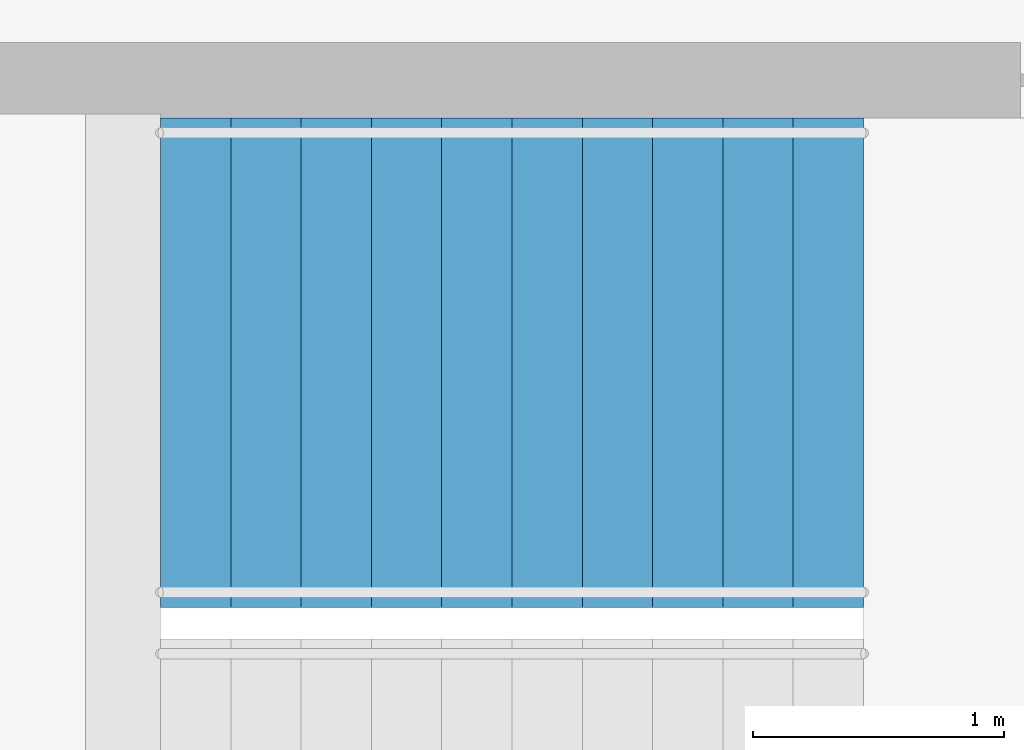
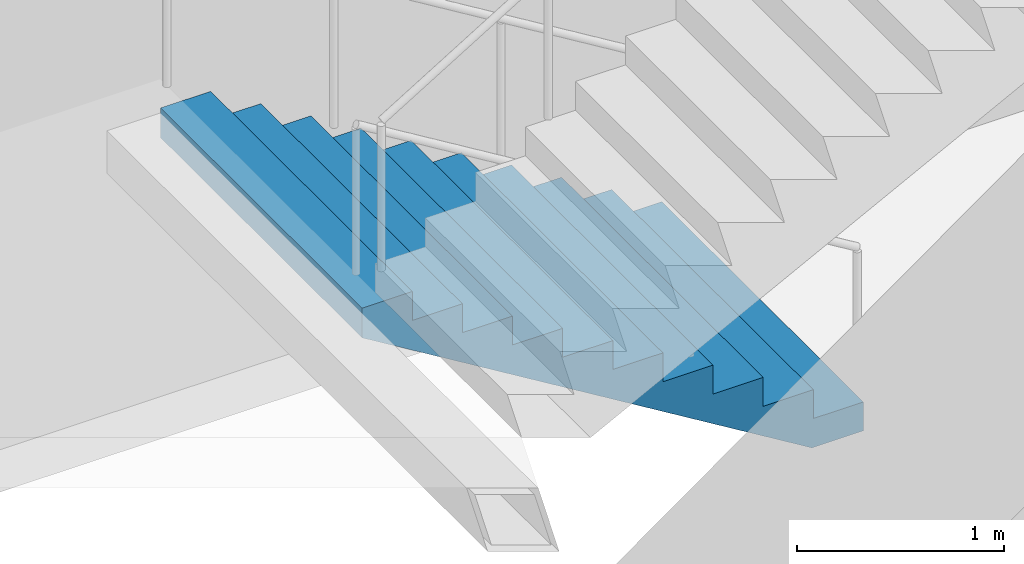
# One storey, part 22 of 23: 1 stair flight, 1 element without a shape of its own.
"""IFC4 building model written with IfcOpenShell, lengths in metres."""

from ifc_helpers import new_model, si_unit, direction, frame, origin, place, context, subcontext, project, spatial, triangles, material, type_object, element, aggregate, save


model = new_model("IFC4")

# Units and contexts
model_context = context("Model", 3, precision=1e-05, world=origin(), true_north=direction((0.0, 1.0)))
body_context = subcontext(model_context, "Body", "Model", "MODEL_VIEW")
ifc_project = project(units=[si_unit("LENGTHUNIT", "METRE"), si_unit("AREAUNIT", "SQUARE_METRE"), si_unit("VOLUMEUNIT", "CUBIC_METRE"), si_unit("PLANEANGLEUNIT", "RADIAN"), si_unit("MASSUNIT", "GRAM", prefix="KILO")], contexts=[model_context])

# Site, building, storey
site_placement = place(None, origin())
site = spatial("IfcSite", under=ifc_project, at=site_placement, CompositionType="ELEMENT")
building_placement = place(site_placement, origin())
building = spatial("IfcBuilding", under=site, at=building_placement, Name="Orbita Commons", CompositionType="ELEMENT")
storey_placement = place(building_placement, frame((0.0, 0.0, 171.10009765625)))
storey = spatial("IfcBuildingStorey", under=building, at=storey_placement, Name="L42", CompositionType="ELEMENT", Elevation=171.10009765625)

# Stair, stair flight
ifc_material_1 = material(Name="Precast concrete C40/50", Category="concrete")
stair_type = type_object("IfcStairType", Name="Exit stair S2 2 flights 11 risers 170", PredefinedType="HALF_TURN_STAIR", material=ifc_material_1)
stair_placement = place(storey_placement, origin())
stair = element("IfcStair", 1, at=stair_placement, inside=storey, type_object=stair_type, Name="Exit stair S2 L42", PredefinedType="HALF_TURN_STAIR")
ifc_material_2 = material(Name="Precast concrete C40/50", Category="concrete")
stair_flight_type = type_object("IfcStairFlightType", Name="Stair flight 11 risers 170 x 280", PredefinedType="STRAIGHT", material=ifc_material_2)
stair_flight_placement = place(storey_placement, frame((63.550048828125, 29.27490234375, 0.0), z_axis=(0.0, 0.0, 1.0), x_axis=(-1.0, 0.0, 0.0)))
stair_flight = element("IfcStairFlight", 2, at=stair_flight_placement, type_object=stair_flight_type, Name="S2 flight 1", NumberOfRisers=11, NumberOfTreads=10, PredefinedType="STRAIGHT", RiserHeight=0.170454545, TreadLength=0.28, context=body_context, shape_type="Tessellation", body=[
    triangles([(0.0, 0.974976, 0.0), (0.0, 0.974976, 0.021307), (0.0, 0.81248, 0.021307), (0.0, 0.81248, 0.0), (0.0, 0.649984, 0.021307), (0.0, 0.649984, 0.0), (0.0, 0.487488, 0.021307), (0.0, 0.487488, 0.0), (0.0, 0.324992, 0.021307), (0.0, 0.324992, 0.0), (0.0, 0.162496, 0.021307), (0.0, 0.162496, 0.0), (0.0, 0.0, 0.021307), (0.0, 0.0, 0.0), (0.0, -0.162496, 0.021307), (0.0, -0.162496, 0.0), (0.0, -0.324992, 0.021307), (0.0, -0.324992, 0.0), (0.0, -0.487488, 0.021307), (0.0, -0.487488, 0.0), (0.0, -0.649984, 0.021307), (0.0, -0.649984, 0.0), (0.0, -0.81248, 0.021307), (0.0, -0.81248, 0.0), (0.0, -0.974976, 0.021307), (0.0, -0.974976, 0.0), (0.0, 0.974976, 0.042614), (0.0, 0.81248, 0.042614), (0.0, 0.649984, 0.042614), (0.0, 0.487488, 0.042614), (0.0, 0.324992, 0.042614), (0.0, 0.162496, 0.042614), (0.0, 0.0, 0.042614), (0.0, -0.162496, 0.042614), (0.0, -0.324992, 0.042614), (0.0, -0.487488, 0.042614), (0.0, -0.649984, 0.042614), (0.0, -0.81248, 0.042614), (0.0, -0.974976, 0.042614), (0.0, 0.974976, 0.06392), (0.0, 0.81248, 0.06392), (0.0, 0.649984, 0.06392), (0.0, 0.487488, 0.06392), (0.0, 0.324992, 0.06392), (0.0, 0.162496, 0.06392), (0.0, 0.0, 0.06392), (0.0, -0.162496, 0.06392), (0.0, -0.324992, 0.06392), (0.0, -0.487488, 0.06392), (0.0, -0.649984, 0.06392), (0.0, -0.81248, 0.06392), (0.0, -0.974976, 0.06392), (0.0, 0.974976, 0.085227), (0.0, 0.81248, 0.085227), (0.0, 0.649984, 0.085227), (0.0, 0.487488, 0.085227), (0.0, 0.324992, 0.085227), (0.0, 0.162496, 0.085227), (0.0, 0.0, 0.085227), (0.0, -0.162496, 0.085227), (0.0, -0.324992, 0.085227), (0.0, -0.487488, 0.085227), (0.0, -0.649984, 0.085227), (0.0, -0.81248, 0.085227), (0.0, -0.974976, 0.085227), (0.0, 0.974976, 0.106534), (0.0, 0.81248, 0.106534), (0.0, 0.649984, 0.106534), (0.0, 0.487488, 0.106534), (0.0, 0.324992, 0.106534), (0.0, 0.162496, 0.106534), (0.0, 0.0, 0.106534), (0.0, -0.162496, 0.106534), (0.0, -0.324992, 0.106534), (0.0, -0.487488, 0.106534), (0.0, -0.649984, 0.106534), (0.0, -0.81248, 0.106534), (0.0, -0.974976, 0.106534), (0.0, 0.974976, 0.127841), (0.0, 0.81248, 0.127841), (0.0, 0.649984, 0.127841), (0.0, 0.487488, 0.127841), (0.0, 0.324992, 0.127841), (0.0, 0.162496, 0.127841), (0.0, 0.0, 0.127841), (0.0, -0.162496, 0.127841), (0.0, -0.324992, 0.127841), (0.0, -0.487488, 0.127841), (0.0, -0.649984, 0.127841), (0.0, -0.81248, 0.127841), (0.0, -0.974976, 0.127841), (0.0, 0.974976, 0.149148), (0.0, 0.81248, 0.149148), (0.0, 0.649984, 0.149148), (0.0, 0.487488, 0.149148), (0.0, 0.324992, 0.149148), (0.0, 0.162496, 0.149148), (0.0, 0.0, 0.149148), (0.0, -0.162496, 0.149148), (0.0, -0.324992, 0.149148), (0.0, -0.487488, 0.149148), (0.0, -0.649984, 0.149148), (0.0, -0.81248, 0.149148), (0.0, -0.974976, 0.149148), (0.0, 0.974976, 0.170455), (0.0, 0.81248, 0.170455), (0.0, 0.649984, 0.170455), (0.0, 0.487488, 0.170455), (0.0, 0.324992, 0.170455), (0.0, 0.162496, 0.170455), (0.0, 0.0, 0.170455), (0.0, -0.162496, 0.170455), (0.0, -0.324992, 0.170455), (0.0, -0.487488, 0.170455), (0.0, -0.649984, 0.170455), (0.0, -0.81248, 0.170455), (0.0, -0.974976, 0.170455), (0.28, 0.974976, 0.170455), (0.28, 0.81248, 0.170455), (0.28, 0.649984, 0.170455), (0.28, 0.487488, 0.170455), (0.28, 0.324992, 0.170455), (0.28, 0.162496, 0.170455), (0.28, 0.0, 0.170455), (0.28, -0.162496, 0.170455), (0.28, -0.324992, 0.170455), (0.28, -0.487488, 0.170455), (0.28, -0.649984, 0.170455), (0.28, -0.81248, 0.170455), (0.28, -0.974976, 0.170455), (0.28, 0.974976, 0.340909), (0.28, 0.81248, 0.340909), (0.28, 0.649984, 0.340909), (0.28, 0.487488, 0.340909), (0.28, 0.324992, 0.340909), (0.28, 0.162496, 0.340909), (0.28, 0.0, 0.340909), (0.28, -0.162496, 0.340909), (0.28, -0.324992, 0.340909), (0.28, -0.487488, 0.340909), (0.28, -0.649984, 0.340909), (0.28, -0.81248, 0.340909), (0.28, -0.974976, 0.340909), (0.56, 0.974976, 0.340909), (0.56, 0.81248, 0.340909), (0.56, 0.649984, 0.340909), (0.56, 0.487488, 0.340909), (0.56, 0.324992, 0.340909), (0.56, 0.162496, 0.340909), (0.56, 0.0, 0.340909), (0.56, -0.162496, 0.340909), (0.56, -0.324992, 0.340909), (0.56, -0.487488, 0.340909), (0.56, -0.649984, 0.340909), (0.56, -0.81248, 0.340909), (0.56, -0.974976, 0.340909), (0.56, 0.974976, 0.511364), (0.56, 0.81248, 0.511364), (0.56, 0.649984, 0.511364), (0.56, 0.487488, 0.511364), (0.56, 0.324992, 0.511364), (0.56, 0.162496, 0.511364), (0.56, 0.0, 0.511364), (0.56, -0.162496, 0.511364), (0.56, -0.324992, 0.511364), (0.56, -0.487488, 0.511364), (0.56, -0.649984, 0.511364), (0.56, -0.81248, 0.511364), (0.56, -0.974976, 0.511364), (0.84, 0.974976, 0.511364), (0.84, 0.81248, 0.511364), (0.84, 0.649984, 0.511364), (0.84, 0.487488, 0.511364), (0.84, 0.324992, 0.511364), (0.84, 0.162496, 0.511364), (0.84, 0.0, 0.511364), (0.84, -0.162496, 0.511364), (0.84, -0.324992, 0.511364), (0.84, -0.487488, 0.511364), (0.84, -0.649984, 0.511364), (0.84, -0.81248, 0.511364), (0.84, -0.974976, 0.511364), (0.84, 0.974976, 0.681818), (0.84, 0.81248, 0.681818), (0.84, 0.649984, 0.681818), (0.84, 0.487488, 0.681818), (0.84, 0.324992, 0.681818), (0.84, 0.162496, 0.681818), (0.84, 0.0, 0.681818), (0.84, -0.162496, 0.681818), (0.84, -0.324992, 0.681818), (0.84, -0.487488, 0.681818), (0.84, -0.649984, 0.681818), (0.84, -0.81248, 0.681818), (0.84, -0.974976, 0.681818), (1.12, 0.974976, 0.681818), (1.12, 0.81248, 0.681818), (1.12, 0.649984, 0.681818), (1.12, 0.487488, 0.681818), (1.12, 0.324992, 0.681818), (1.12, 0.162496, 0.681818), (1.12, 0.0, 0.681818), (1.12, -0.162496, 0.681818), (1.12, -0.324992, 0.681818), (1.12, -0.487488, 0.681818), (1.12, -0.649984, 0.681818), (1.12, -0.81248, 0.681818), (1.12, -0.974976, 0.681818), (1.12, 0.974976, 0.852273), (1.12, 0.81248, 0.852273), (1.12, 0.649984, 0.852273), (1.12, 0.487488, 0.852273), (1.12, 0.324992, 0.852273), (1.12, 0.162496, 0.852273), (1.12, 0.0, 0.852273), (1.12, -0.162496, 0.852273), (1.12, -0.324992, 0.852273), (1.12, -0.487488, 0.852273), (1.12, -0.649984, 0.852273), (1.12, -0.81248, 0.852273), (1.12, -0.974976, 0.852273), (1.4, 0.974976, 0.852273), (1.4, 0.81248, 0.852273), (1.4, 0.649984, 0.852273), (1.4, 0.487488, 0.852273), (1.4, 0.324992, 0.852273), (1.4, 0.162496, 0.852273), (1.4, 0.0, 0.852273), (1.4, -0.162496, 0.852273), (1.4, -0.324992, 0.852273), (1.4, -0.487488, 0.852273), (1.4, -0.649984, 0.852273), (1.4, -0.81248, 0.852273), (1.4, -0.974976, 0.852273), (1.4, 0.974976, 1.022727), (1.4, 0.81248, 1.022727), (1.4, 0.649984, 1.022727), (1.4, 0.487488, 1.022727), (1.4, 0.324992, 1.022727), (1.4, 0.162496, 1.022727), (1.4, 0.0, 1.022727), (1.4, -0.162496, 1.022727), (1.4, -0.324992, 1.022727), (1.4, -0.487488, 1.022727), (1.4, -0.649984, 1.022727), (1.4, -0.81248, 1.022727), (1.4, -0.974976, 1.022727), (1.68, 0.974976, 1.022727), (1.68, 0.81248, 1.022727), (1.68, 0.649984, 1.022727), (1.68, 0.487488, 1.022727), (1.68, 0.324992, 1.022727), (1.68, 0.162496, 1.022727), (1.68, 0.0, 1.022727), (1.68, -0.162496, 1.022727), (1.68, -0.324992, 1.022727), (1.68, -0.487488, 1.022727), (1.68, -0.649984, 1.022727), (1.68, -0.81248, 1.022727), (1.68, -0.974976, 1.022727), (1.68, 0.974976, 1.193182), (1.68, 0.81248, 1.193182), (1.68, 0.649984, 1.193182), (1.68, 0.487488, 1.193182), (1.68, 0.324992, 1.193182), (1.68, 0.162496, 1.193182), (1.68, 0.0, 1.193182), (1.68, -0.162496, 1.193182), (1.68, -0.324992, 1.193182), (1.68, -0.487488, 1.193182), (1.68, -0.649984, 1.193182), (1.68, -0.81248, 1.193182), (1.68, -0.974976, 1.193182), (1.96, 0.974976, 1.193182), (1.96, 0.81248, 1.193182), (1.96, 0.649984, 1.193182), (1.96, 0.487488, 1.193182), (1.96, 0.324992, 1.193182), (1.96, 0.162496, 1.193182), (1.96, 0.0, 1.193182), (1.96, -0.162496, 1.193182), (1.96, -0.324992, 1.193182), (1.96, -0.487488, 1.193182), (1.96, -0.649984, 1.193182), (1.96, -0.81248, 1.193182), (1.96, -0.974976, 1.193182), (1.96, 0.974976, 1.363636), (1.96, 0.81248, 1.363636), (1.96, 0.649984, 1.363636), (1.96, 0.487488, 1.363636), (1.96, 0.324992, 1.363636), (1.96, 0.162496, 1.363636), (1.96, 0.0, 1.363636), (1.96, -0.162496, 1.363636), (1.96, -0.324992, 1.363636), (1.96, -0.487488, 1.363636), (1.96, -0.649984, 1.363636), (1.96, -0.81248, 1.363636), (1.96, -0.974976, 1.363636), (2.24, 0.974976, 1.363636), (2.24, 0.81248, 1.363636), (2.24, 0.649984, 1.363636), (2.24, 0.487488, 1.363636), (2.24, 0.324992, 1.363636), (2.24, 0.162496, 1.363636), (2.24, 0.0, 1.363636), (2.24, -0.162496, 1.363636), (2.24, -0.324992, 1.363636), (2.24, -0.487488, 1.363636), (2.24, -0.649984, 1.363636), (2.24, -0.81248, 1.363636), (2.24, -0.974976, 1.363636), (2.24, 0.974976, 1.534091), (2.24, 0.81248, 1.534091), (2.24, 0.649984, 1.534091), (2.24, 0.487488, 1.534091), (2.24, 0.324992, 1.534091), (2.24, 0.162496, 1.534091), (2.24, 0.0, 1.534091), (2.24, -0.162496, 1.534091), (2.24, -0.324992, 1.534091), (2.24, -0.487488, 1.534091), (2.24, -0.649984, 1.534091), (2.24, -0.81248, 1.534091), (2.24, -0.974976, 1.534091), (2.52, 0.974976, 1.534091), (2.52, 0.81248, 1.534091), (2.52, 0.649984, 1.534091), (2.52, 0.487488, 1.534091), (2.52, 0.324992, 1.534091), (2.52, 0.162496, 1.534091), (2.52, 0.0, 1.534091), (2.52, -0.162496, 1.534091), (2.52, -0.324992, 1.534091), (2.52, -0.487488, 1.534091), (2.52, -0.649984, 1.534091), (2.52, -0.81248, 1.534091), (2.52, -0.974976, 1.534091), (2.52, 0.974976, 1.704545), (2.52, 0.81248, 1.704545), (2.52, 0.649984, 1.704545), (2.52, 0.487488, 1.704545), (2.52, 0.324992, 1.704545), (2.52, 0.162496, 1.704545), (2.52, 0.0, 1.704545), (2.52, -0.162496, 1.704545), (2.52, -0.324992, 1.704545), (2.52, -0.487488, 1.704545), (2.52, -0.649984, 1.704545), (2.52, -0.81248, 1.704545), (2.52, -0.974976, 1.704545), (2.8, 0.974976, 1.704545), (2.8, 0.81248, 1.704545), (2.8, 0.649984, 1.704545), (2.8, 0.487488, 1.704545), (2.8, 0.324992, 1.704545), (2.8, 0.162496, 1.704545), (2.8, 0.0, 1.704545), (2.8, -0.162496, 1.704545), (2.8, -0.324992, 1.704545), (2.8, -0.487488, 1.704545), (2.8, -0.649984, 1.704545), (2.8, -0.81248, 1.704545), (2.8, -0.974976, 1.704545), (2.8, 0.974976, 1.682609), (2.8, 0.81248, 1.682609), (2.8, 0.649984, 1.682609), (2.8, 0.487488, 1.682609), (2.8, 0.324992, 1.682609), (2.8, 0.162496, 1.682609), (2.8, 0.0, 1.682609), (2.8, -0.162496, 1.682609), (2.8, -0.324992, 1.682609), (2.8, -0.487488, 1.682609), (2.8, -0.649984, 1.682609), (2.8, -0.81248, 1.682609), (2.8, -0.974976, 1.682609), (2.8, 0.974976, 1.660672), (2.8, 0.81248, 1.660672), (2.8, 0.649984, 1.660672), (2.8, 0.487488, 1.660672), (2.8, 0.324992, 1.660672), (2.8, 0.162496, 1.660672), (2.8, 0.0, 1.660672), (2.8, -0.162496, 1.660672), (2.8, -0.324992, 1.660672), (2.8, -0.487488, 1.660672), (2.8, -0.649984, 1.660672), (2.8, -0.81248, 1.660672), (2.8, -0.974976, 1.660672), (2.8, 0.974976, 1.638735), (2.8, 0.81248, 1.638735), (2.8, 0.649984, 1.638735), (2.8, 0.487488, 1.638735), (2.8, 0.324992, 1.638735), (2.8, 0.162496, 1.638735), (2.8, 0.0, 1.638735), (2.8, -0.162496, 1.638735), (2.8, -0.324992, 1.638735), (2.8, -0.487488, 1.638735), (2.8, -0.649984, 1.638735), (2.8, -0.81248, 1.638735), (2.8, -0.974976, 1.638735), (2.8, 0.974976, 1.616798), (2.8, 0.81248, 1.616798), (2.8, 0.649984, 1.616798), (2.8, 0.487488, 1.616798), (2.8, 0.324992, 1.616798), (2.8, 0.162496, 1.616798), (2.8, 0.0, 1.616798), (2.8, -0.162496, 1.616798), (2.8, -0.324992, 1.616798), (2.8, -0.487488, 1.616798), (2.8, -0.649984, 1.616798), (2.8, -0.81248, 1.616798), (2.8, -0.974976, 1.616798), (2.8, 0.974976, 1.594861), (2.8, 0.81248, 1.594861), (2.8, 0.649984, 1.594861), (2.8, 0.487488, 1.594861), (2.8, 0.324992, 1.594861), (2.8, 0.162496, 1.594861), (2.8, 0.0, 1.594861), (2.8, -0.162496, 1.594861), (2.8, -0.324992, 1.594861), (2.8, -0.487488, 1.594861), (2.8, -0.649984, 1.594861), (2.8, -0.81248, 1.594861), (2.8, -0.974976, 1.594861), (2.8, 0.974976, 1.572925), (2.8, 0.81248, 1.572925), (2.8, 0.649984, 1.572925), (2.8, 0.487488, 1.572925), (2.8, 0.324992, 1.572925), (2.8, 0.162496, 1.572925), (2.8, 0.0, 1.572925), (2.8, -0.162496, 1.572925), (2.8, -0.324992, 1.572925), (2.8, -0.487488, 1.572925), (2.8, -0.649984, 1.572925), (2.8, -0.81248, 1.572925), (2.8, -0.974976, 1.572925), (2.8, 0.974976, 1.550988), (2.8, 0.81248, 1.550988), (2.8, 0.649984, 1.550988), (2.8, 0.487488, 1.550988), (2.8, 0.324992, 1.550988), (2.8, 0.162496, 1.550988), (2.8, 0.0, 1.550988), (2.8, -0.162496, 1.550988), (2.8, -0.324992, 1.550988), (2.8, -0.487488, 1.550988), (2.8, -0.649984, 1.550988), (2.8, -0.81248, 1.550988), (2.8, -0.974976, 1.550988), (2.8, 0.974976, 1.529051), (2.8, 0.81248, 1.529051), (2.8, 0.649984, 1.529051), (2.8, 0.487488, 1.529051), (2.8, 0.324992, 1.529051), (2.8, 0.162496, 1.529051), (2.8, 0.0, 1.529051), (2.8, -0.162496, 1.529051), (2.8, -0.324992, 1.529051), (2.8, -0.487488, 1.529051), (2.8, -0.649984, 1.529051), (2.8, -0.81248, 1.529051), (2.8, -0.974976, 1.529051), (0.288279, 0.974976, 0.0), (0.288279, 0.81248, 0.0), (0.288279, 0.649984, 0.0), (0.288279, 0.487488, 0.0), (0.288279, 0.324992, 0.0), (0.288279, 0.162496, 0.0), (0.288279, 0.0, 0.0), (0.288279, -0.162496, 0.0), (0.288279, -0.324992, 0.0), (0.288279, -0.487488, 0.0), (0.288279, -0.649984, 0.0), (0.288279, -0.81248, 0.0), (0.288279, -0.974976, 0.0)], [[3, 2, 1], [4, 3, 1], [5, 3, 4], [6, 5, 4], [7, 5, 6], [8, 7, 6], [9, 7, 8], [10, 9, 8], [11, 9, 10], [12, 11, 10], [13, 11, 12], [14, 13, 12], [15, 13, 14], [16, 15, 14], [17, 15, 16], [18, 17, 16], [19, 17, 18], [20, 19, 18], [21, 19, 20], [22, 21, 20], [23, 21, 22], [24, 23, 22], [25, 23, 24], [26, 25, 24], [28, 27, 2], [3, 28, 2], [29, 28, 3], [5, 29, 3], [30, 29, 5], [7, 30, 5], [31, 30, 7], [9, 31, 7], [32, 31, 9], [11, 32, 9], [33, 32, 11], [13, 33, 11], [34, 33, 13], [15, 34, 13], [35, 34, 15], [17, 35, 15], [36, 35, 17], [19, 36, 17], [37, 36, 19], [21, 37, 19], [38, 37, 21], [23, 38, 21], [39, 38, 23], [25, 39, 23], [41, 40, 27], [28, 41, 27], [42, 41, 28], [29, 42, 28], [43, 42, 29], [30, 43, 29], [44, 43, 30], [31, 44, 30], [45, 44, 31], [32, 45, 31], [46, 45, 32], [33, 46, 32], [47, 46, 33], [34, 47, 33], [48, 47, 34], [35, 48, 34], [49, 48, 35], [36, 49, 35], [50, 49, 36], [37, 50, 36], [51, 50, 37], [38, 51, 37], [52, 51, 38], [39, 52, 38], [54, 53, 40], [41, 54, 40], [55, 54, 41], [42, 55, 41], [56, 55, 42], [43, 56, 42], [57, 56, 43], [44, 57, 43], [58, 57, 44], [45, 58, 44], [59, 58, 45], [46, 59, 45], [60, 59, 46], [47, 60, 46], [61, 60, 47], [48, 61, 47], [62, 61, 48], [49, 62, 48], [63, 62, 49], [50, 63, 49], [64, 63, 50], [51, 64, 50], [65, 64, 51], [52, 65, 51], [67, 66, 53], [54, 67, 53], [68, 67, 54], [55, 68, 54], [69, 68, 55], [56, 69, 55], [70, 69, 56], [57, 70, 56], [71, 70, 57], [58, 71, 57], [72, 71, 58], [59, 72, 58], [73, 72, 59], [60, 73, 59], [74, 73, 60], [61, 74, 60], [75, 74, 61], [62, 75, 61], [76, 75, 62], [63, 76, 62], [77, 76, 63], [64, 77, 63], [78, 77, 64], [65, 78, 64], [80, 79, 66], [67, 80, 66], [81, 80, 67], [68, 81, 67], [82, 81, 68], [69, 82, 68], [83, 82, 69], [70, 83, 69], [84, 83, 70], [71, 84, 70], [85, 84, 71], [72, 85, 71], [86, 85, 72], [73, 86, 72], [87, 86, 73], [74, 87, 73], [88, 87, 74], [75, 88, 74], [89, 88, 75], [76, 89, 75], [90, 89, 76], [77, 90, 76], [91, 90, 77], [78, 91, 77], [93, 92, 79], [80, 93, 79], [94, 93, 80], [81, 94, 80], [95, 94, 81], [82, 95, 81], [96, 95, 82], [83, 96, 82], [97, 96, 83], [84, 97, 83], [98, 97, 84], [85, 98, 84], [99, 98, 85], [86, 99, 85], [100, 99, 86], [87, 100, 86], [101, 100, 87], [88, 101, 87], [102, 101, 88], [89, 102, 88], [103, 102, 89], [90, 103, 89], [104, 103, 90], [91, 104, 90], [106, 105, 92], [93, 106, 92], [107, 106, 93], [94, 107, 93], [108, 107, 94], [95, 108, 94], [109, 108, 95], [96, 109, 95], [110, 109, 96], [97, 110, 96], [111, 110, 97], [98, 111, 97], [112, 111, 98], [99, 112, 98], [113, 112, 99], [100, 113, 99], [114, 113, 100], [101, 114, 100], [115, 114, 101], [102, 115, 101], [116, 115, 102], [103, 116, 102], [117, 116, 103], [104, 117, 103], [119, 118, 105], [106, 119, 105], [120, 119, 106], [107, 120, 106], [121, 120, 107], [108, 121, 107], [122, 121, 108], [109, 122, 108], [123, 122, 109], [110, 123, 109], [124, 123, 110], [111, 124, 110], [125, 124, 111], [112, 125, 111], [126, 125, 112], [113, 126, 112], [127, 126, 113], [114, 127, 113], [128, 127, 114], [115, 128, 114], [129, 128, 115], [116, 129, 115], [130, 129, 116], [117, 130, 116], [132, 131, 118], [119, 132, 118], [133, 132, 119], [120, 133, 119], [134, 133, 120], [121, 134, 120], [135, 134, 121], [122, 135, 121], [136, 135, 122], [123, 136, 122], [137, 136, 123], [124, 137, 123], [138, 137, 124], [125, 138, 124], [139, 138, 125], [126, 139, 125], [140, 139, 126], [127, 140, 126], [141, 140, 127], [128, 141, 127], [142, 141, 128], [129, 142, 128], [143, 142, 129], [130, 143, 129], [145, 144, 131], [132, 145, 131], [146, 145, 132], [133, 146, 132], [147, 146, 133], [134, 147, 133], [148, 147, 134], [135, 148, 134], [149, 148, 135], [136, 149, 135], [150, 149, 136], [137, 150, 136], [151, 150, 137], [138, 151, 137], [152, 151, 138], [139, 152, 138], [153, 152, 139], [140, 153, 139], [154, 153, 140], [141, 154, 140], [155, 154, 141], [142, 155, 141], [156, 155, 142], [143, 156, 142], [158, 157, 144], [145, 158, 144], [159, 158, 145], [146, 159, 145], [160, 159, 146], [147, 160, 146], [161, 160, 147], [148, 161, 147], [162, 161, 148], [149, 162, 148], [163, 162, 149], [150, 163, 149], [164, 163, 150], [151, 164, 150], [165, 164, 151], [152, 165, 151], [166, 165, 152], [153, 166, 152], [167, 166, 153], [154, 167, 153], [168, 167, 154], [155, 168, 154], [169, 168, 155], [156, 169, 155], [171, 170, 157], [158, 171, 157], [172, 171, 158], [159, 172, 158], [173, 172, 159], [160, 173, 159], [174, 173, 160], [161, 174, 160], [175, 174, 161], [162, 175, 161], [176, 175, 162], [163, 176, 162], [177, 176, 163], [164, 177, 163], [178, 177, 164], [165, 178, 164], [179, 178, 165], [166, 179, 165], [180, 179, 166], [167, 180, 166], [181, 180, 167], [168, 181, 167], [182, 181, 168], [169, 182, 168], [184, 183, 170], [171, 184, 170], [185, 184, 171], [172, 185, 171], [186, 185, 172], [173, 186, 172], [187, 186, 173], [174, 187, 173], [188, 187, 174], [175, 188, 174], [189, 188, 175], [176, 189, 175], [190, 189, 176], [177, 190, 176], [191, 190, 177], [178, 191, 177], [192, 191, 178], [179, 192, 178], [193, 192, 179], [180, 193, 179], [194, 193, 180], [181, 194, 180], [195, 194, 181], [182, 195, 181], [197, 196, 183], [184, 197, 183], [198, 197, 184], [185, 198, 184], [199, 198, 185], [186, 199, 185], [200, 199, 186], [187, 200, 186], [201, 200, 187], [188, 201, 187], [202, 201, 188], [189, 202, 188], [203, 202, 189], [190, 203, 189], [204, 203, 190], [191, 204, 190], [205, 204, 191], [192, 205, 191], [206, 205, 192], [193, 206, 192], [207, 206, 193], [194, 207, 193], [208, 207, 194], [195, 208, 194], [210, 209, 196], [197, 210, 196], [211, 210, 197], [198, 211, 197], [212, 211, 198], [199, 212, 198], [213, 212, 199], [200, 213, 199], [214, 213, 200], [201, 214, 200], [215, 214, 201], [202, 215, 201], [216, 215, 202], [203, 216, 202], [217, 216, 203], [204, 217, 203], [218, 217, 204], [205, 218, 204], [219, 218, 205], [206, 219, 205], [220, 219, 206], [207, 220, 206], [221, 220, 207], [208, 221, 207], [223, 222, 209], [210, 223, 209], [224, 223, 210], [211, 224, 210], [225, 224, 211], [212, 225, 211], [226, 225, 212], [213, 226, 212], [227, 226, 213], [214, 227, 213], [228, 227, 214], [215, 228, 214], [229, 228, 215], [216, 229, 215], [230, 229, 216], [217, 230, 216], [231, 230, 217], [218, 231, 217], [232, 231, 218], [219, 232, 218], [233, 232, 219], [220, 233, 219], [234, 233, 220], [221, 234, 220], [236, 235, 222], [223, 236, 222], [237, 236, 223], [224, 237, 223], [238, 237, 224], [225, 238, 224], [239, 238, 225], [226, 239, 225], [240, 239, 226], [227, 240, 226], [241, 240, 227], [228, 241, 227], [242, 241, 228], [229, 242, 228], [243, 242, 229], [230, 243, 229], [244, 243, 230], [231, 244, 230], [245, 244, 231], [232, 245, 231], [246, 245, 232], [233, 246, 232], [247, 246, 233], [234, 247, 233], [249, 248, 235], [236, 249, 235], [250, 249, 236], [237, 250, 236], [251, 250, 237], [238, 251, 237], [252, 251, 238], [239, 252, 238], [253, 252, 239], [240, 253, 239], [254, 253, 240], [241, 254, 240], [255, 254, 241], [242, 255, 241], [256, 255, 242], [243, 256, 242], [257, 256, 243], [244, 257, 243], [258, 257, 244], [245, 258, 244], [259, 258, 245], [246, 259, 245], [260, 259, 246], [247, 260, 246], [262, 261, 248], [249, 262, 248], [263, 262, 249], [250, 263, 249], [264, 263, 250], [251, 264, 250], [265, 264, 251], [252, 265, 251], [266, 265, 252], [253, 266, 252], [267, 266, 253], [254, 267, 253], [268, 267, 254], [255, 268, 254], [269, 268, 255], [256, 269, 255], [270, 269, 256], [257, 270, 256], [271, 270, 257], [258, 271, 257], [272, 271, 258], [259, 272, 258], [273, 272, 259], [260, 273, 259], [275, 274, 261], [262, 275, 261], [276, 275, 262], [263, 276, 262], [277, 276, 263], [264, 277, 263], [278, 277, 264], [265, 278, 264], [279, 278, 265], [266, 279, 265], [280, 279, 266], [267, 280, 266], [281, 280, 267], [268, 281, 267], [282, 281, 268], [269, 282, 268], [283, 282, 269], [270, 283, 269], [284, 283, 270], [271, 284, 270], [285, 284, 271], [272, 285, 271], [286, 285, 272], [273, 286, 272], [288, 287, 274], [275, 288, 274], [289, 288, 275], [276, 289, 275], [290, 289, 276], [277, 290, 276], [291, 290, 277], [278, 291, 277], [292, 291, 278], [279, 292, 278], [293, 292, 279], [280, 293, 279], [294, 293, 280], [281, 294, 280], [295, 294, 281], [282, 295, 281], [296, 295, 282], [283, 296, 282], [297, 296, 283], [284, 297, 283], [298, 297, 284], [285, 298, 284], [299, 298, 285], [286, 299, 285], [301, 300, 287], [288, 301, 287], [302, 301, 288], [289, 302, 288], [303, 302, 289], [290, 303, 289], [304, 303, 290], [291, 304, 290], [305, 304, 291], [292, 305, 291], [306, 305, 292], [293, 306, 292], [307, 306, 293], [294, 307, 293], [308, 307, 294], [295, 308, 294], [309, 308, 295], [296, 309, 295], [310, 309, 296], [297, 310, 296], [311, 310, 297], [298, 311, 297], [312, 311, 298], [299, 312, 298], [314, 313, 300], [301, 314, 300], [315, 314, 301], [302, 315, 301], [316, 315, 302], [303, 316, 302], [317, 316, 303], [304, 317, 303], [318, 317, 304], [305, 318, 304], [319, 318, 305], [306, 319, 305], [320, 319, 306], [307, 320, 306], [321, 320, 307], [308, 321, 307], [322, 321, 308], [309, 322, 308], [323, 322, 309], [310, 323, 309], [324, 323, 310], [311, 324, 310], [325, 324, 311], [312, 325, 311], [327, 326, 313], [314, 327, 313], [328, 327, 314], [315, 328, 314], [329, 328, 315], [316, 329, 315], [330, 329, 316], [317, 330, 316], [331, 330, 317], [318, 331, 317], [332, 331, 318], [319, 332, 318], [333, 332, 319], [320, 333, 319], [334, 333, 320], [321, 334, 320], [335, 334, 321], [322, 335, 321], [336, 335, 322], [323, 336, 322], [337, 336, 323], [324, 337, 323], [338, 337, 324], [325, 338, 324], [340, 339, 326], [327, 340, 326], [341, 340, 327], [328, 341, 327], [342, 341, 328], [329, 342, 328], [343, 342, 329], [330, 343, 329], [344, 343, 330], [331, 344, 330], [345, 344, 331], [332, 345, 331], [346, 345, 332], [333, 346, 332], [347, 346, 333], [334, 347, 333], [348, 347, 334], [335, 348, 334], [349, 348, 335], [336, 349, 335], [350, 349, 336], [337, 350, 336], [351, 350, 337], [338, 351, 337], [353, 352, 339], [340, 353, 339], [354, 353, 340], [341, 354, 340], [355, 354, 341], [342, 355, 341], [356, 355, 342], [343, 356, 342], [357, 356, 343], [344, 357, 343], [358, 357, 344], [345, 358, 344], [359, 358, 345], [346, 359, 345], [360, 359, 346], [347, 360, 346], [361, 360, 347], [348, 361, 347], [362, 361, 348], [349, 362, 348], [363, 362, 349], [350, 363, 349], [364, 363, 350], [351, 364, 350], [366, 365, 352], [353, 366, 352], [367, 366, 353], [354, 367, 353], [368, 367, 354], [355, 368, 354], [369, 368, 355], [356, 369, 355], [370, 369, 356], [357, 370, 356], [371, 370, 357], [358, 371, 357], [372, 371, 358], [359, 372, 358], [373, 372, 359], [360, 373, 359], [374, 373, 360], [361, 374, 360], [375, 374, 361], [362, 375, 361], [376, 375, 362], [363, 376, 362], [377, 376, 363], [364, 377, 363], [379, 378, 365], [366, 379, 365], [380, 379, 366], [367, 380, 366], [381, 380, 367], [368, 381, 367], [382, 381, 368], [369, 382, 368], [383, 382, 369], [370, 383, 369], [384, 383, 370], [371, 384, 370], [385, 384, 371], [372, 385, 371], [386, 385, 372], [373, 386, 372], [387, 386, 373], [374, 387, 373], [388, 387, 374], [375, 388, 374], [389, 388, 375], [376, 389, 375], [390, 389, 376], [377, 390, 376], [392, 391, 378], [379, 392, 378], [393, 392, 379], [380, 393, 379], [394, 393, 380], [381, 394, 380], [395, 394, 381], [382, 395, 381], [396, 395, 382], [383, 396, 382], [397, 396, 383], [384, 397, 383], [398, 397, 384], [385, 398, 384], [399, 398, 385], [386, 399, 385], [400, 399, 386], [387, 400, 386], [401, 400, 387], [388, 401, 387], [402, 401, 388], [389, 402, 388], [403, 402, 389], [390, 403, 389], [405, 404, 391], [392, 405, 391], [406, 405, 392], [393, 406, 392], [407, 406, 393], [394, 407, 393], [408, 407, 394], [395, 408, 394], [409, 408, 395], [396, 409, 395], [410, 409, 396], [397, 410, 396], [411, 410, 397], [398, 411, 397], [412, 411, 398], [399, 412, 398], [413, 412, 399], [400, 413, 399], [414, 413, 400], [401, 414, 400], [415, 414, 401], [402, 415, 401], [416, 415, 402], [403, 416, 402], [418, 417, 404], [405, 418, 404], [419, 418, 405], [406, 419, 405], [420, 419, 406], [407, 420, 406], [421, 420, 407], [408, 421, 407], [422, 421, 408], [409, 422, 408], [423, 422, 409], [410, 423, 409], [424, 423, 410], [411, 424, 410], [425, 424, 411], [412, 425, 411], [426, 425, 412], [413, 426, 412], [427, 426, 413], [414, 427, 413], [428, 427, 414], [415, 428, 414], [429, 428, 415], [416, 429, 415], [431, 430, 417], [418, 431, 417], [432, 431, 418], [419, 432, 418], [433, 432, 419], [420, 433, 419], [434, 433, 420], [421, 434, 420], [435, 434, 421], [422, 435, 421], [436, 435, 422], [423, 436, 422], [437, 436, 423], [424, 437, 423], [438, 437, 424], [425, 438, 424], [439, 438, 425], [426, 439, 425], [440, 439, 426], [427, 440, 426], [441, 440, 427], [428, 441, 427], [442, 441, 428], [429, 442, 428], [444, 443, 430], [431, 444, 430], [445, 444, 431], [432, 445, 431], [446, 445, 432], [433, 446, 432], [447, 446, 433], [434, 447, 433], [448, 447, 434], [435, 448, 434], [449, 448, 435], [436, 449, 435], [450, 449, 436], [437, 450, 436], [451, 450, 437], [438, 451, 437], [452, 451, 438], [439, 452, 438], [453, 452, 439], [440, 453, 439], [454, 453, 440], [441, 454, 440], [455, 454, 441], [442, 455, 441], [457, 456, 443], [444, 457, 443], [458, 457, 444], [445, 458, 444], [459, 458, 445], [446, 459, 445], [460, 459, 446], [447, 460, 446], [461, 460, 447], [448, 461, 447], [462, 461, 448], [449, 462, 448], [463, 462, 449], [450, 463, 449], [464, 463, 450], [451, 464, 450], [465, 464, 451], [452, 465, 451], [466, 465, 452], [453, 466, 452], [467, 466, 453], [454, 467, 453], [468, 467, 454], [455, 468, 454], [470, 469, 456], [457, 470, 456], [471, 470, 457], [458, 471, 457], [472, 471, 458], [459, 472, 458], [473, 472, 459], [460, 473, 459], [474, 473, 460], [461, 474, 460], [475, 474, 461], [462, 475, 461], [476, 475, 462], [463, 476, 462], [477, 476, 463], [464, 477, 463], [478, 477, 464], [465, 478, 464], [479, 478, 465], [466, 479, 465], [480, 479, 466], [467, 480, 466], [481, 480, 467], [468, 481, 467], [4, 1, 469], [470, 4, 469], [6, 4, 470], [471, 6, 470], [8, 6, 471], [472, 8, 471], [10, 8, 472], [473, 10, 472], [12, 10, 473], [474, 12, 473], [14, 12, 474], [475, 14, 474], [16, 14, 475], [476, 16, 475], [18, 16, 476], [477, 18, 476], [20, 18, 477], [478, 20, 477], [22, 20, 478], [479, 22, 478], [24, 22, 479], [480, 24, 479], [26, 24, 480], [481, 26, 480], [456, 469, 1], [26, 481, 468], [443, 456, 1], [26, 468, 455], [430, 443, 1], [26, 455, 442], [417, 430, 1], [26, 442, 429], [404, 417, 1], [26, 429, 416], [391, 404, 1], [26, 416, 403], [378, 391, 1], [26, 403, 390], [365, 378, 1], [26, 390, 377], [339, 352, 365], [377, 364, 351], [326, 339, 365], [377, 351, 338], [300, 313, 326], [338, 325, 312], [300, 326, 365], [377, 338, 312], [274, 287, 300], [312, 299, 286], [274, 300, 365], [377, 312, 286], [248, 261, 274], [286, 273, 260], [248, 274, 365], [377, 286, 260], [222, 235, 248], [260, 247, 234], [222, 248, 365], [377, 260, 234], [196, 209, 222], [234, 221, 208], [196, 222, 365], [377, 234, 208], [170, 183, 196], [208, 195, 182], [170, 196, 365], [377, 208, 182], [144, 157, 170], [182, 169, 156], [144, 170, 365], [377, 182, 156], [118, 131, 144], [156, 143, 130], [118, 144, 365], [377, 156, 130], [118, 365, 1], [26, 377, 130], [92, 105, 118], [130, 117, 104], [79, 92, 118], [130, 104, 91], [66, 79, 118], [130, 91, 78], [53, 66, 118], [130, 78, 65], [40, 53, 118], [130, 65, 52], [27, 40, 118], [130, 52, 39], [2, 27, 118], [130, 39, 25], [1, 2, 118], [130, 25, 26]], closed=True),
])
aggregate(stair, [stair_flight])

save(model, "model.ifc")
